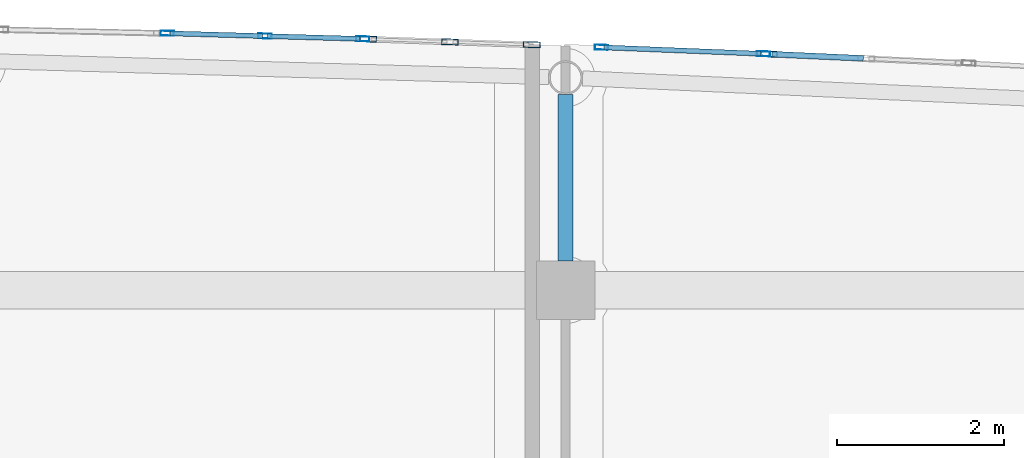
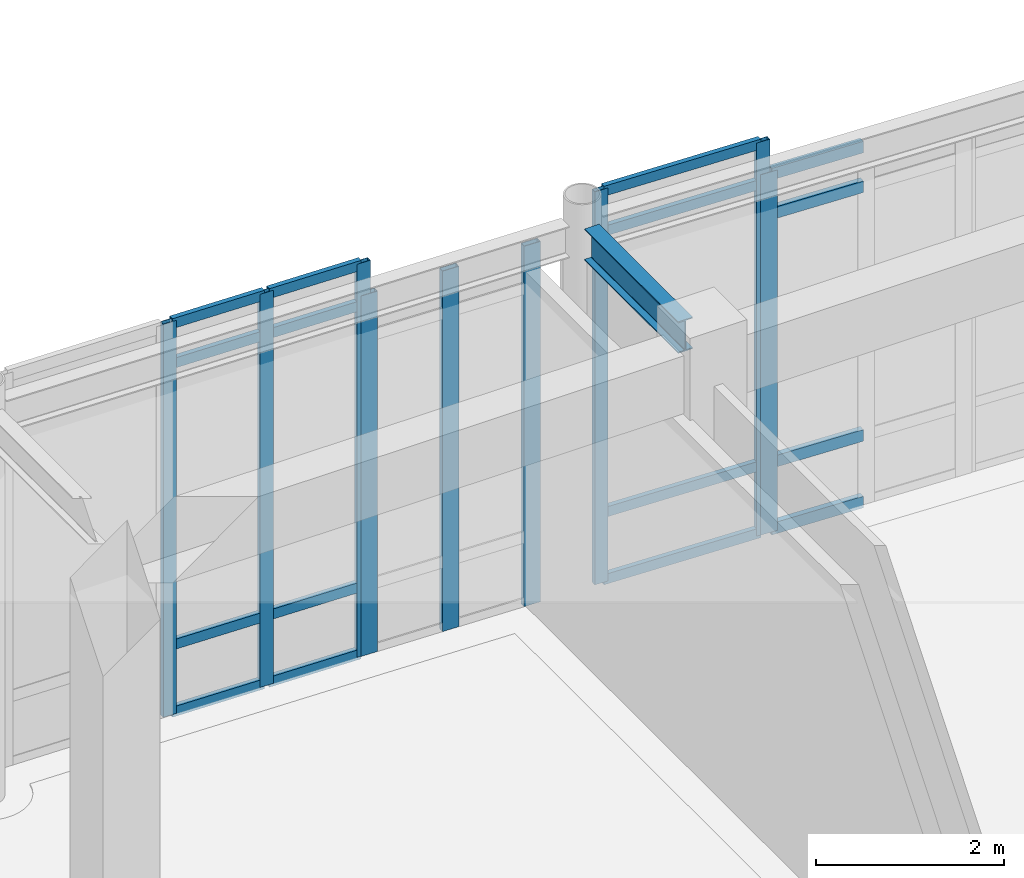
# One storey, part 47 of 102: 25 members, 1 beam, 4 elements without a shape of their own.
"""IFC4 building model written with IfcOpenShell, lengths in metres."""

import ifcopenshell
import ifcopenshell.guid

model = None  # the IFC model being written
_history = None  # IfcOwnerHistory: only IFC2X3 demands one
_inside = {}  # id of a spatial element -> (the spatial element, [elements in it])
_under = {}  # id of a project, library or spatial element -> (it, [spatial elements below it])
_declared = {}  # id of a project -> (the project, [libraries it declares])
_typed = {}  # id of a type object -> (the type object, [elements of that type])
_made_of = {}  # id of a material, layer set ... -> (it, [elements and type objects made of it])


def new_model(schema):
    """Start an empty IFC model of exactly this schema.

    Asked for "IFC4X3", IfcOpenShell would pick the latest addendum, in which some entities
    have other attributes; the version numbers below select the first issue.
    IFC2X3 requires an IfcOwnerHistory on every rooted entity: one is made here for all.
    """
    global model, _history
    if schema == "IFC4X3":
        model = ifcopenshell.file(schema_version=(4, 3, 0, 0))
    else:
        model = ifcopenshell.file(schema=schema)
    _inside.clear()
    _under.clear()
    _declared.clear()
    _typed.clear()
    _made_of.clear()
    _history = None
    if model.schema == "IFC2X3":
        org = make("IfcOrganization", Name="unknown")
        user = make(
            "IfcPersonAndOrganization",
            ThePerson=make("IfcPerson", FamilyName="unknown"),
            TheOrganization=org,
        )
        app = make(
            "IfcApplication",
            ApplicationDeveloper=org,
            Version="unknown",
            ApplicationFullName="unknown",
            ApplicationIdentifier="unknown",
        )
        _history = make(
            "IfcOwnerHistory",
            OwningUser=user,
            OwningApplication=app,
            ChangeAction="ADDED",
            CreationDate=0,
        )
    return model


def make(cls, **values):
    """One entity of the class cls with the attributes given. An attribute that is None is left unset."""
    return model.create_entity(
        cls, **{name: value for name, value in values.items() if value is not None}
    )


def rooted(cls, **values):
    """An entity with a GlobalId (a new one), such as an element, a storey or a relation."""
    return make(cls, GlobalId=ifcopenshell.guid.new(), OwnerHistory=_history, **values)


def si_unit(unit_type, name, prefix=None):
    """IfcSIUnit, for example si_unit("LENGTHUNIT", "METRE", prefix="MILLI")."""
    return make("IfcSIUnit", UnitType=unit_type, Prefix=prefix, Name=name)


def assignment(units):
    """IfcUnitAssignment: the units of a project."""
    return None if units is None else make("IfcUnitAssignment", Units=units)


def point(xyz):
    """IfcCartesianPoint."""
    return None if xyz is None else make("IfcCartesianPoint", Coordinates=xyz)


def direction(xyz):
    """IfcDirection."""
    return None if xyz is None else make("IfcDirection", DirectionRatios=xyz)


def frame(location, z_axis=None, x_axis=None):
    """IfcAxis2Placement3D, a coordinate frame: its origin and axes. An axis left out is left unset."""
    return make(
        "IfcAxis2Placement3D",
        Location=point(location),
        Axis=direction(z_axis),
        RefDirection=direction(x_axis),
    )


def frame_2d(location, x_axis=None):
    """IfcAxis2Placement2D, a coordinate frame in the plane: its origin and x axis."""
    return make(
        "IfcAxis2Placement2D", Location=point(location), RefDirection=direction(x_axis)
    )


def origin():
    """The frame at (0, 0, 0) with its axes left unset."""
    return frame((0.0, 0.0, 0.0))


def origin_2d():
    """The frame at (0, 0) in the plane with its x axis left unset."""
    return frame_2d((0.0, 0.0))


def place(relative_to, where):
    """IfcLocalPlacement: puts the frame where relative to a parent placement (None: the world)."""
    return make(
        "IfcLocalPlacement", PlacementRelTo=relative_to, RelativePlacement=where
    )


def context(
    kind, dimensions, precision=None, world=None, true_north=None, identifier=None
):
    """IfcGeometricRepresentationContext, for example the 3D "Model" context."""
    return make(
        "IfcGeometricRepresentationContext",
        ContextIdentifier=identifier,
        ContextType=kind,
        CoordinateSpaceDimension=dimensions,
        Precision=precision,
        WorldCoordinateSystem=world,
        TrueNorth=true_north,
    )


def subcontext(parent, identifier, kind, view, scale=None):
    """IfcGeometricRepresentationSubContext, for example "Body" below "Model"."""
    return make(
        "IfcGeometricRepresentationSubContext",
        ContextIdentifier=identifier,
        ContextType=kind,
        ParentContext=parent,
        TargetScale=scale,
        TargetView=view,
    )


def project(units=None, contexts=None):
    """IfcProject with its units and contexts."""
    return rooted(
        "IfcProject",
        Name="project",
        RepresentationContexts=contexts,
        UnitsInContext=assignment(units),
    )


def spatial(cls, under=None, at=None, **own):
    """A site, building, storey or space (cls), placed at a placement, below another one or the project."""
    s = rooted(cls, ObjectPlacement=at, **own)
    if under is not None:
        _under.setdefault(under.id(), (under, []))[1].append(s)
    return s


def profile(cls, at=None, kind="AREA", **sizes):
    """A parametric profile (cls). Its sizes go by their IFC names, for example OverallWidth=200.0."""
    return make(cls, ProfileType=kind, Position=at, **sizes)


def hollow_rectangle(**sizes):
    """IfcRectangleHollowProfileDef."""
    return profile("IfcRectangleHollowProfileDef", **sizes)


def i_section(**sizes):
    """IfcIShapeProfileDef."""
    return profile("IfcIShapeProfileDef", **sizes)


def extrude(swept, where, along, depth):
    """IfcExtrudedAreaSolid: the profile swept, set in the frame where, extruded along a direction by depth."""
    return make(
        "IfcExtrudedAreaSolid",
        SweptArea=swept,
        Position=where,
        ExtrudedDirection=direction(along),
        Depth=depth,
    )


def shape(context_of_items, identifier, shape_type, items):
    """IfcShapeRepresentation: the items that make up one representation, for example the "Body"."""
    return make(
        "IfcShapeRepresentation",
        ContextOfItems=context_of_items,
        RepresentationIdentifier=identifier,
        RepresentationType=shape_type,
        Items=items,
    )


def material(Name=None, Category=None):
    """IfcMaterial."""
    return make("IfcMaterial", Name=Name, Category=Category)


def layer(
    of_material, thickness, ventilated=None, Name=None, Category=None, Priority=None
):
    """IfcMaterialLayer: one layer of a wall or slab, of a material (None: an air gap)."""
    return make(
        "IfcMaterialLayer",
        Material=of_material,
        LayerThickness=thickness,
        IsVentilated=ventilated,
        Name=Name,
        Category=Category,
        Priority=Priority,
    )


def layer_set(layers, Name=None):
    """IfcMaterialLayerSet."""
    return make("IfcMaterialLayerSet", MaterialLayers=layers, LayerSetName=Name)


def material_profile(
    of_material, cross_section, Name=None, Category=None, Priority=None
):
    """IfcMaterialProfile: a cross section and its material."""
    return make(
        "IfcMaterialProfile",
        Name=Name,
        Material=of_material,
        Profile=cross_section,
        Priority=Priority,
        Category=Category,
    )


def profile_set(profiles, Name=None, composite=None):
    """IfcMaterialProfileSet."""
    return make(
        "IfcMaterialProfileSet",
        Name=Name,
        MaterialProfiles=profiles,
        CompositeProfile=composite,
    )


def made_of(thing, what):
    """Note that an element or type object is made of a material, layer set ...; save() writes the relation."""
    if what is not None:
        _made_of.setdefault(what.id(), (what, []))[1].append(thing)
    return thing


def type_object(cls, material=None, **own):
    """A type object (cls), such as IfcWallType, which elements share."""
    return made_of(rooted(cls, **own), material)


def element(
    cls,
    number,
    at=None,
    inside=None,
    cuts=None,
    type_object=None,
    material=None,
    context=None,
    identifier="Body",
    shape_type=None,
    held_by="IfcProductDefinitionShape",
    body=None,
    shapes=None,
    **own,
):
    """One element of the class cls, such as IfcWall. Its Tag is "e" and its number.

    at: its placement. inside: the storey or other place that contains it. cuts: it is an
    opening in that element (IfcRelVoidsElement). A single representation is given by context,
    identifier, shape_type and body (its items); several are given by shapes. held_by: the class
    of the entity that holds the representations. save() writes the other relations.
    """
    e = rooted(cls, Tag="e%d" % number, ObjectPlacement=at, **own)
    if body is not None:
        shapes = [shape(context, identifier, shape_type, body)]
    if shapes is not None:
        e.Representation = make(held_by, Representations=shapes)
    if inside is not None:
        _inside.setdefault(inside.id(), (inside, []))[1].append(e)
    if cuts is not None:
        rooted(
            "IfcRelVoidsElement", RelatingBuildingElement=cuts, RelatedOpeningElement=e
        )
    if type_object is not None:
        _typed.setdefault(type_object.id(), (type_object, []))[1].append(e)
    return made_of(e, material)


def aggregate(whole, parts):
    """IfcRelAggregates: a whole, such as a stair, and the parts it consists of."""
    return rooted("IfcRelAggregates", RelatingObject=whole, RelatedObjects=parts)


def save(model, path):
    """Write the relations noted so far, then the file.

    IfcRelAggregates (storeys below a building ...), IfcRelContainedInSpatialStructure (elements
    in a storey), IfcRelDefinesByType, IfcRelAssociatesMaterial and IfcRelDeclares: one each for
    every whole, place, type object, material and project.
    """
    for whole, parts in _under.values():
        aggregate(whole, parts)
    for where, things in _inside.values():
        rooted(
            "IfcRelContainedInSpatialStructure",
            RelatedElements=things,
            RelatingStructure=where,
        )
    for kind, things in _typed.values():
        rooted("IfcRelDefinesByType", RelatedObjects=things, RelatingType=kind)
    for what, things in _made_of.values():
        rooted("IfcRelAssociatesMaterial", RelatedObjects=things, RelatingMaterial=what)
    for by, libraries in _declared.values():
        rooted("IfcRelDeclares", RelatingContext=by, RelatedDefinitions=libraries)
    model.write(path)


model = new_model("IFC4")

# Units and contexts
model_context = context("Model", 3, precision=1e-05, world=origin(), true_north=direction((0.0, 1.0)))
body_context = subcontext(model_context, "Body", "Model", "MODEL_VIEW")
ifc_project = project(units=[si_unit("LENGTHUNIT", "METRE"), si_unit("AREAUNIT", "SQUARE_METRE"), si_unit("VOLUMEUNIT", "CUBIC_METRE"), si_unit("PLANEANGLEUNIT", "RADIAN"), si_unit("MASSUNIT", "GRAM", prefix="KILO")], contexts=[model_context])

# Site, building, storey
site_placement = place(None, origin())
site = spatial("IfcSite", under=ifc_project, at=site_placement, CompositionType="ELEMENT")
building_placement = place(site_placement, origin())
building = spatial("IfcBuilding", under=site, at=building_placement, Name="Carrowvane Square Congress Hotel", CompositionType="ELEMENT")
storey_placement = place(building_placement, origin())
storey = spatial("IfcBuildingStorey", under=building, at=storey_placement, Name="L00", CompositionType="ELEMENT", Elevation=0.0)

# Beam
ifc_material_1 = material(Name="Steel S355", Category="steel")
ifc_material_profile_1 = material_profile(ifc_material_1, i_section(OverallWidth=0.1787109375, OverallDepth=0.409423828125, WebThickness=0.0087890625, FlangeThickness=0.014404296875, FilletRadius=0.01025390625, at=origin_2d()), Name="UKB 406x178x67")
ifc_profile_set_1 = profile_set([ifc_material_profile_1], Name="Steel S355")
beam_type = type_object("IfcBeamType", Name="BM-ST-UKB406", PredefinedType="BEAM", material=ifc_profile_set_1)
beam_placement = place(storey_placement, frame((112.39990234375, 113.75, 4.895263671875), z_axis=(0.0, 1.0, 0.0), x_axis=(-1.0, 0.0, 0.0)))
element("IfcBeam", 1, at=beam_placement, inside=storey, type_object=beam_type, Name="L01 radial north beam 15", PredefinedType="BEAM", context=body_context, shape_type="SweptSolid", body=[
    extrude(i_section(OverallWidth=0.1787109375, OverallDepth=0.409423828125, WebThickness=0.0087890625, FlangeThickness=0.014404296875, FilletRadius=0.01025390625, at=origin_2d()), origin(), (0.0, 0.0, 1.0), 1.99072265625),
])

# Curtain wall, members
ifc_material_2 = material(Name="Anodised aluminium", Category="aluminium")
ifc_layer_1 = layer(ifc_material_2, 0.23388671875)
ifc_layer_set_1 = layer_set([ifc_layer_1], Name="Anodised aluminium")
curtain_wall_type_1 = type_object("IfcCurtainWallType", Name="CW-SYS-7", PredefinedType="NOTDEFINED", material=ifc_layer_set_1)
curtain_wall_1_placement = place(storey_placement, origin())
curtain_wall_1 = element("IfcCurtainWall", 2, at=curtain_wall_1_placement, inside=storey, type_object=curtain_wall_type_1, Name="L00 unitised curtain wall 30", PredefinedType="NOTDEFINED")
ifc_material_3 = material(Name="Anodised aluminium", Category="aluminium")
ifc_material_profile_2 = material_profile(ifc_material_3, hollow_rectangle(XDim=0.06005859375, YDim=0.159912109375, WallThickness=0.00390625, at=origin_2d()), Name="CW-ML 60x160x4")
ifc_profile_set_2 = profile_set([ifc_material_profile_2], Name="Anodised aluminium")
member_type_1 = type_object("IfcMemberType", Name="CW-MUL-1", PredefinedType="MULLION", material=ifc_profile_set_2)
member_1_placement = place(storey_placement, frame((107.6298828125, 116.474853515625, 0.0), z_axis=(0.0, 0.0, 1.0), x_axis=(0.028638010501, 0.999589848065, 0.0)))
member_1 = element("IfcMember", 3, at=member_1_placement, type_object=member_type_1, Name="CW-7 mullion 1", PredefinedType="MULLION", context=body_context, shape_type="SweptSolid", body=[
    extrude(hollow_rectangle(XDim=0.06005859375, YDim=0.159912109375, WallThickness=0.00390625, at=origin_2d()), origin(), (0.0, 0.0, 1.0), 5.10009765625),
])
member_2_placement = place(storey_placement, frame((108.800048828125, 116.44140625, 0.0), z_axis=(0.0, 0.0, 1.0), x_axis=(0.028638010501, 0.999589848065, 0.0)))
member_2 = element("IfcMember", 4, at=member_2_placement, type_object=member_type_1, Name="CW-7 mullion 2", PredefinedType="MULLION", context=body_context, shape_type="SweptSolid", body=[
    extrude(hollow_rectangle(XDim=0.06005859375, YDim=0.159912109375, WallThickness=0.00390625, at=origin_2d()), origin(), (0.0, 0.0, 1.0), 5.10009765625),
])
member_3_placement = place(storey_placement, frame((109.969970703125, 116.40771484375, 0.0), z_axis=(0.0, 0.0, 1.0), x_axis=(0.028638010501, 0.999589848065, 0.0)))
member_3 = element("IfcMember", 5, at=member_3_placement, type_object=member_type_1, Name="CW-7 mullion 3", PredefinedType="MULLION", context=body_context, shape_type="SweptSolid", body=[
    extrude(hollow_rectangle(XDim=0.06005859375, YDim=0.159912109375, WallThickness=0.00390625, at=origin_2d()), origin(), (0.0, 0.0, 1.0), 5.10009765625),
])

ifc_material_4 = material(Name="Anodised aluminium", Category="aluminium")
ifc_layer_2 = layer(ifc_material_4, 0.162109375)
ifc_layer_set_2 = layer_set([ifc_layer_2], Name="Anodised aluminium")
curtain_wall_type_2 = type_object("IfcCurtainWallType", Name="CW-SYS-1", PredefinedType="NOTDEFINED", material=ifc_layer_set_2)
curtain_wall_2_placement = place(storey_placement, origin())
curtain_wall_2 = element("IfcCurtainWall", 6, at=curtain_wall_2_placement, inside=storey, type_object=curtain_wall_type_2, Name="L00 unitised curtain wall 32", PredefinedType="NOTDEFINED")
member_4_placement = place(storey_placement, frame((112.828857421875, 116.306884765625, 0.0), z_axis=(0.0, 0.0, 1.0), x_axis=(0.040130957403, 0.999194428656, 0.0)))
member_4 = element("IfcMember", 7, at=member_4_placement, type_object=member_type_1, Name="CW-1 mullion 1", PredefinedType="MULLION", context=body_context, shape_type="SweptSolid", body=[
    extrude(hollow_rectangle(XDim=0.06005859375, YDim=0.159912109375, WallThickness=0.00390625, at=origin_2d()), origin(), (0.0, 0.0, 1.0), 5.10009765625),
])
member_5_placement = place(storey_placement, frame((114.77001953125, 116.228759765625, 0.0), z_axis=(0.0, 0.0, 1.0), x_axis=(0.040130957403, 0.999194428656, 0.0)))
member_5 = element("IfcMember", 8, at=member_5_placement, type_object=member_type_1, Name="CW-1 mullion 2", PredefinedType="MULLION", context=body_context, shape_type="SweptSolid", body=[
    extrude(hollow_rectangle(XDim=0.06005859375, YDim=0.159912109375, WallThickness=0.00390625, at=origin_2d()), origin(), (0.0, 0.0, 1.0), 5.10009765625),
])

ifc_material_5 = material(Name="Anodised aluminium", Category="aluminium")
ifc_layer_3 = layer(ifc_material_5, 0.24609375)
ifc_layer_set_3 = layer_set([ifc_layer_3], Name="Anodised aluminium")
curtain_wall_type_3 = type_object("IfcCurtainWallType", Name="CW-SYS-8", PredefinedType="NOTDEFINED", material=ifc_layer_set_3)
curtain_wall_3_placement = place(storey_placement, origin())
curtain_wall_3 = element("IfcCurtainWall", 9, at=curtain_wall_3_placement, inside=storey, type_object=curtain_wall_type_3, Name="L00 unitised curtain wall 31", PredefinedType="NOTDEFINED")
ifc_material_6 = material(Name="Anodised aluminium", Category="aluminium")
ifc_material_profile_3 = material_profile(ifc_material_6, hollow_rectangle(XDim=0.070068359375, YDim=0.199951171875, WallThickness=0.0048828125, at=origin_2d()), Name="CW-ML 70x200x5")
ifc_profile_set_3 = profile_set([ifc_material_profile_3], Name="Anodised aluminium")
member_type_2 = type_object("IfcMemberType", Name="CW-MUL-2", PredefinedType="MULLION", material=ifc_profile_set_3)
member_6_placement = place(storey_placement, frame((110.034912109375, 116.40576171875, 0.0), z_axis=(0.0, 0.0, 1.0), x_axis=(0.034529948347, 0.999403663525, 0.0)))
member_6 = element("IfcMember", 10, at=member_6_placement, type_object=member_type_2, Name="CW-8 mullion 1", PredefinedType="MULLION", context=body_context, shape_type="SweptSolid", body=[
    extrude(hollow_rectangle(XDim=0.070068359375, YDim=0.199951171875, WallThickness=0.0048828125, at=origin_2d()), origin(), (0.0, 0.0, 1.0), 4.675537109375),
])
member_7_placement = place(storey_placement, frame((111.0146484375, 116.371826171875, 0.0), z_axis=(0.0, 0.0, 1.0), x_axis=(0.034529948347, 0.999403663525, 0.0)))
member_7 = element("IfcMember", 11, at=member_7_placement, type_object=member_type_2, Name="CW-8 mullion 2", PredefinedType="MULLION", context=body_context, shape_type="SweptSolid", body=[
    extrude(hollow_rectangle(XDim=0.070068359375, YDim=0.199951171875, WallThickness=0.0048828125, at=origin_2d()), origin(), (0.0, 0.0, 1.0), 4.675537109375),
])
member_8_placement = place(storey_placement, frame((111.99462890625, 116.338134765625, 0.0), z_axis=(0.0, 0.0, 1.0), x_axis=(0.034529948347, 0.999403663525, 0.0)))
member_8 = element("IfcMember", 12, at=member_8_placement, type_object=member_type_2, Name="CW-8 mullion 3", PredefinedType="MULLION", context=body_context, shape_type="SweptSolid", body=[
    extrude(hollow_rectangle(XDim=0.070068359375, YDim=0.199951171875, WallThickness=0.0048828125, at=origin_2d()), origin(), (0.0, 0.0, 1.0), 4.675537109375),
])
aggregate(curtain_wall_3, [member_6, member_7, member_8])

# Curtain wall, member
ifc_material_7 = material(Name="Anodised aluminium", Category="aluminium")
ifc_layer_4 = layer(ifc_material_7, 0.174072265625)
ifc_layer_set_4 = layer_set([ifc_layer_4], Name="Anodised aluminium")
curtain_wall_type_4 = type_object("IfcCurtainWallType", Name="CW-SYS-2", PredefinedType="NOTDEFINED", material=ifc_layer_set_4)
curtain_wall_4_placement = place(storey_placement, origin())
curtain_wall_4 = element("IfcCurtainWall", 13, at=curtain_wall_4_placement, inside=storey, type_object=curtain_wall_type_4, Name="L00 unitised curtain wall 33", PredefinedType="NOTDEFINED")
member_9_placement = place(storey_placement, frame((114.8349609375, 116.22607421875, 0.0), z_axis=(0.0, 0.0, 1.0), x_axis=(0.045411059449, 0.998968385726, 0.0)))
member_9 = element("IfcMember", 14, at=member_9_placement, type_object=member_type_2, Name="CW-2 mullion 1", PredefinedType="MULLION", context=body_context, shape_type="SweptSolid", body=[
    extrude(hollow_rectangle(XDim=0.070068359375, YDim=0.199951171875, WallThickness=0.0048828125, at=origin_2d()), origin(), (0.0, 0.0, 1.0), 4.675537109375),
])

# Member
ifc_material_8 = material(Name="Anodised aluminium", Category="aluminium")
ifc_material_profile_4 = material_profile(ifc_material_8, hollow_rectangle(XDim=0.06005859375, YDim=0.1298828125, WallThickness=0.00390625, at=origin_2d()), Name="CW-TR 60x130x4")
ifc_profile_set_4 = profile_set([ifc_material_profile_4], Name="Anodised aluminium")
member_type_3 = type_object("IfcMemberType", Name="CW-TRN-1", PredefinedType="USERDEFINED", material=ifc_profile_set_4)
member_10_placement = place(storey_placement, frame((107.659912109375, 116.473876953125, 0.030029296875), z_axis=(0.99959154835, -0.028578601558, 0.0), x_axis=(0.028578601558, 0.99959154835, 0.0)))
member_10 = element("IfcMember", 15, at=member_10_placement, type_object=member_type_3, Name="CW-7 transom 1.1", ObjectType="TRANSOM", PredefinedType="USERDEFINED", context=body_context, shape_type="SweptSolid", body=[
    extrude(hollow_rectangle(XDim=0.06005859375, YDim=0.1298828125, WallThickness=0.00390625, at=origin_2d()), origin(), (0.0, 0.0, 1.0), 1.110595703125),
])

member_11_placement = place(storey_placement, frame((107.659912109375, 116.473876953125, 0.89990234375), z_axis=(0.99959154835, -0.028578601558, 0.0), x_axis=(0.028578601558, 0.99959154835, 0.0)))
member_11 = element("IfcMember", 16, at=member_11_placement, type_object=member_type_3, Name="CW-7 transom 1.2", ObjectType="TRANSOM", PredefinedType="USERDEFINED", context=body_context, shape_type="SweptSolid", body=[
    extrude(hollow_rectangle(XDim=0.06005859375, YDim=0.1298828125, WallThickness=0.00390625, at=origin_2d()), origin(), (0.0, 0.0, 1.0), 1.110595703125),
])

member_12_placement = place(storey_placement, frame((107.659912109375, 116.473876953125, 4.550048828125), z_axis=(0.99959154835, -0.028578601558, 0.0), x_axis=(0.028578601558, 0.99959154835, 0.0)))
member_12 = element("IfcMember", 17, at=member_12_placement, type_object=member_type_3, Name="CW-7 transom 1.3", ObjectType="TRANSOM", PredefinedType="USERDEFINED", context=body_context, shape_type="SweptSolid", body=[
    extrude(hollow_rectangle(XDim=0.06005859375, YDim=0.1298828125, WallThickness=0.00390625, at=origin_2d()), origin(), (0.0, 0.0, 1.0), 1.110595703125),
])

member_13_placement = place(storey_placement, frame((107.659912109375, 116.473876953125, 5.070068359375), z_axis=(0.99959154835, -0.028578601558, 0.0), x_axis=(0.028578601558, 0.99959154835, 0.0)))
member_13 = element("IfcMember", 18, at=member_13_placement, type_object=member_type_3, Name="CW-7 transom 1.4", ObjectType="TRANSOM", PredefinedType="USERDEFINED", context=body_context, shape_type="SweptSolid", body=[
    extrude(hollow_rectangle(XDim=0.06005859375, YDim=0.1298828125, WallThickness=0.00390625, at=origin_2d()), origin(), (0.0, 0.0, 1.0), 1.110595703125),
])

member_14_placement = place(storey_placement, frame((108.830078125, 116.4404296875, 0.030029296875), z_axis=(0.999591368743, -0.02858488296, 0.0), x_axis=(0.02858488296, 0.999591368743, 0.0)))
member_14 = element("IfcMember", 19, at=member_14_placement, type_object=member_type_3, Name="CW-7 transom 2.1", ObjectType="TRANSOM", PredefinedType="USERDEFINED", context=body_context, shape_type="SweptSolid", body=[
    extrude(hollow_rectangle(XDim=0.06005859375, YDim=0.1298828125, WallThickness=0.00390625, at=origin_2d()), origin(), (0.0, 0.0, 1.0), 1.1103515625),
])

member_15_placement = place(storey_placement, frame((108.830078125, 116.4404296875, 0.89990234375), z_axis=(0.999591368743, -0.02858488296, 0.0), x_axis=(0.02858488296, 0.999591368743, 0.0)))
member_15 = element("IfcMember", 20, at=member_15_placement, type_object=member_type_3, Name="CW-7 transom 2.2", ObjectType="TRANSOM", PredefinedType="USERDEFINED", context=body_context, shape_type="SweptSolid", body=[
    extrude(hollow_rectangle(XDim=0.06005859375, YDim=0.1298828125, WallThickness=0.00390625, at=origin_2d()), origin(), (0.0, 0.0, 1.0), 1.1103515625),
])

member_16_placement = place(storey_placement, frame((108.830078125, 116.4404296875, 4.550048828125), z_axis=(0.999591368743, -0.02858488296, 0.0), x_axis=(0.02858488296, 0.999591368743, 0.0)))
member_16 = element("IfcMember", 21, at=member_16_placement, type_object=member_type_3, Name="CW-7 transom 2.3", ObjectType="TRANSOM", PredefinedType="USERDEFINED", context=body_context, shape_type="SweptSolid", body=[
    extrude(hollow_rectangle(XDim=0.06005859375, YDim=0.1298828125, WallThickness=0.00390625, at=origin_2d()), origin(), (0.0, 0.0, 1.0), 1.1103515625),
])

member_17_placement = place(storey_placement, frame((108.830078125, 116.4404296875, 5.070068359375), z_axis=(0.999591368743, -0.02858488296, 0.0), x_axis=(0.02858488296, 0.999591368743, 0.0)))
member_17 = element("IfcMember", 22, at=member_17_placement, type_object=member_type_3, Name="CW-7 transom 2.4", ObjectType="TRANSOM", PredefinedType="USERDEFINED", context=body_context, shape_type="SweptSolid", body=[
    extrude(hollow_rectangle(XDim=0.06005859375, YDim=0.1298828125, WallThickness=0.00390625, at=origin_2d()), origin(), (0.0, 0.0, 1.0), 1.1103515625),
])

aggregate(curtain_wall_1, [member_1, member_2, member_3, member_10, member_11, member_12, member_13, member_14, member_15, member_16, member_17])

member_18_placement = place(storey_placement, frame((112.85888671875, 116.3056640625, 0.030029296875), z_axis=(0.999191609431, -0.040201090061, 0.0), x_axis=(0.040201090061, 0.999191609431, 0.0)))
member_18 = element("IfcMember", 23, at=member_18_placement, type_object=member_type_3, Name="CW-1 transom 1.1", ObjectType="TRANSOM", PredefinedType="USERDEFINED", context=body_context, shape_type="SweptSolid", body=[
    extrude(hollow_rectangle(XDim=0.06005859375, YDim=0.1298828125, WallThickness=0.00390625, at=origin_2d()), origin(), (0.0, 0.0, 1.0), 1.882568359375),
])

member_19_placement = place(storey_placement, frame((112.85888671875, 116.3056640625, 0.89990234375), z_axis=(0.999191609431, -0.040201090061, 0.0), x_axis=(0.040201090061, 0.999191609431, 0.0)))
member_19 = element("IfcMember", 24, at=member_19_placement, type_object=member_type_3, Name="CW-1 transom 1.2", ObjectType="TRANSOM", PredefinedType="USERDEFINED", context=body_context, shape_type="SweptSolid", body=[
    extrude(hollow_rectangle(XDim=0.06005859375, YDim=0.1298828125, WallThickness=0.00390625, at=origin_2d()), origin(), (0.0, 0.0, 1.0), 1.882568359375),
])

member_20_placement = place(storey_placement, frame((112.85888671875, 116.3056640625, 4.550048828125), z_axis=(0.999191609431, -0.040201090061, 0.0), x_axis=(0.040201090061, 0.999191609431, 0.0)))
member_20 = element("IfcMember", 25, at=member_20_placement, type_object=member_type_3, Name="CW-1 transom 1.3", ObjectType="TRANSOM", PredefinedType="USERDEFINED", context=body_context, shape_type="SweptSolid", body=[
    extrude(hollow_rectangle(XDim=0.06005859375, YDim=0.1298828125, WallThickness=0.00390625, at=origin_2d()), origin(), (0.0, 0.0, 1.0), 1.882568359375),
])

member_21_placement = place(storey_placement, frame((112.85888671875, 116.3056640625, 5.070068359375), z_axis=(0.999191609431, -0.040201090061, 0.0), x_axis=(0.040201090061, 0.999191609431, 0.0)))
member_21 = element("IfcMember", 26, at=member_21_placement, type_object=member_type_3, Name="CW-1 transom 1.4", ObjectType="TRANSOM", PredefinedType="USERDEFINED", context=body_context, shape_type="SweptSolid", body=[
    extrude(hollow_rectangle(XDim=0.06005859375, YDim=0.1298828125, WallThickness=0.00390625, at=origin_2d()), origin(), (0.0, 0.0, 1.0), 1.882568359375),
])

aggregate(curtain_wall_2, [member_4, member_5, member_18, member_19, member_20, member_21])

ifc_material_9 = material(Name="Anodised aluminium", Category="aluminium")
ifc_material_profile_5 = material_profile(ifc_material_9, hollow_rectangle(XDim=0.070068359375, YDim=0.14990234375, WallThickness=0.0048828125, at=origin_2d()), Name="CW-TR 70x150x5")
ifc_profile_set_5 = profile_set([ifc_material_profile_5], Name="Anodised aluminium")
member_type_4 = type_object("IfcMemberType", Name="CW-TRN-2", PredefinedType="USERDEFINED", material=ifc_profile_set_5)
member_22_placement = place(storey_placement, frame((114.869873046875, 116.224365234375, 0.034912109375), z_axis=(0.998967621715, -0.045427863315, 0.0), x_axis=(0.045427863315, 0.998967621715, 0.0)))
member_22 = element("IfcMember", 27, at=member_22_placement, type_object=member_type_4, Name="CW-2 transom 1.1", ObjectType="TRANSOM", PredefinedType="USERDEFINED", context=body_context, shape_type="SweptSolid", body=[
    extrude(hollow_rectangle(XDim=0.070068359375, YDim=0.14990234375, WallThickness=0.0048828125, at=origin_2d()), origin(), (0.0, 0.0, 1.0), 1.096435546875),
])

member_23_placement = place(storey_placement, frame((114.869873046875, 116.224365234375, 0.89990234375), z_axis=(0.998967621715, -0.045427863315, 0.0), x_axis=(0.045427863315, 0.998967621715, 0.0)))
member_23 = element("IfcMember", 28, at=member_23_placement, type_object=member_type_4, Name="CW-2 transom 1.2", ObjectType="TRANSOM", PredefinedType="USERDEFINED", context=body_context, shape_type="SweptSolid", body=[
    extrude(hollow_rectangle(XDim=0.070068359375, YDim=0.14990234375, WallThickness=0.0048828125, at=origin_2d()), origin(), (0.0, 0.0, 1.0), 1.096435546875),
])

member_24_placement = place(storey_placement, frame((114.869873046875, 116.224365234375, 4.12548828125), z_axis=(0.998967621715, -0.045427863315, 0.0), x_axis=(0.045427863315, 0.998967621715, 0.0)))
member_24 = element("IfcMember", 29, at=member_24_placement, type_object=member_type_4, Name="CW-2 transom 1.3", ObjectType="TRANSOM", PredefinedType="USERDEFINED", context=body_context, shape_type="SweptSolid", body=[
    extrude(hollow_rectangle(XDim=0.070068359375, YDim=0.14990234375, WallThickness=0.0048828125, at=origin_2d()), origin(), (0.0, 0.0, 1.0), 1.096435546875),
])

member_25_placement = place(storey_placement, frame((114.869873046875, 116.224365234375, 4.640625), z_axis=(0.998967621715, -0.045427863315, 0.0), x_axis=(0.045427863315, 0.998967621715, 0.0)))
member_25 = element("IfcMember", 30, at=member_25_placement, type_object=member_type_4, Name="CW-2 transom 1.4", ObjectType="TRANSOM", PredefinedType="USERDEFINED", context=body_context, shape_type="SweptSolid", body=[
    extrude(hollow_rectangle(XDim=0.070068359375, YDim=0.14990234375, WallThickness=0.0048828125, at=origin_2d()), origin(), (0.0, 0.0, 1.0), 1.096435546875),
])

aggregate(curtain_wall_4, [member_9, member_22, member_23, member_24, member_25])

save(model, "model.ifc")
